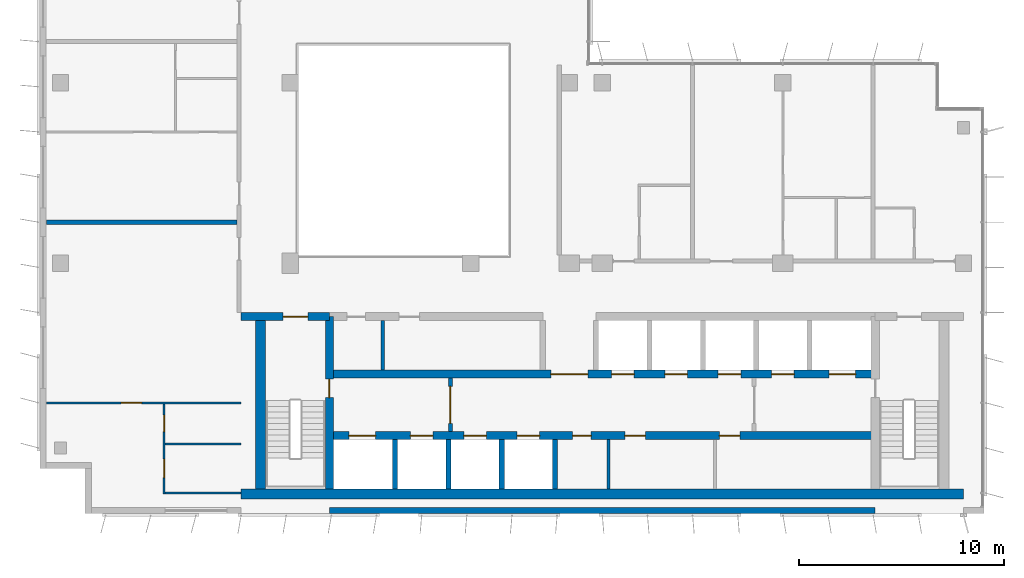
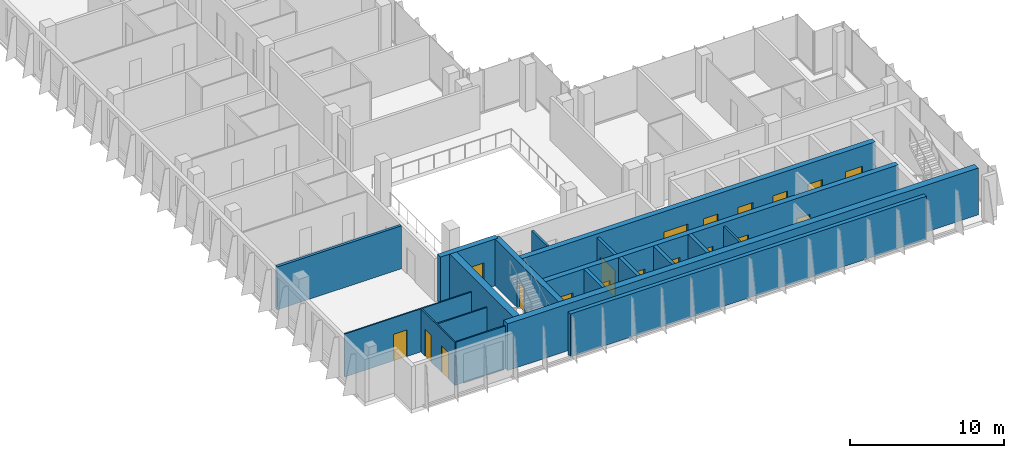
# One storey, part 9 of 16: 19 doors, 19 walls, 19 openings.
"""IFC4 building model written with IfcOpenShell, lengths in metres."""

from ifc_helpers import new_model, si_unit, direction, frame, frame_2d, origin, place, context, subcontext, project, spatial, rectangle, extrude, material, layer, layer_set, type_object, element, fill, save


model = new_model("IFC4")

# Units and contexts
model_context = context("Model", 3, precision=1e-05, world=origin(), true_north=direction((0.0, 1.0)))
body_context = subcontext(model_context, "Body", "Model", "MODEL_VIEW")
ifc_project = project(units=[si_unit("LENGTHUNIT", "METRE"), si_unit("AREAUNIT", "SQUARE_METRE"), si_unit("VOLUMEUNIT", "CUBIC_METRE"), si_unit("PLANEANGLEUNIT", "RADIAN"), si_unit("MASSUNIT", "GRAM", prefix="KILO")], contexts=[model_context])

# Site, building, storey
site_placement = place(None, origin())
site = spatial("IfcSite", under=ifc_project, at=site_placement, CompositionType="ELEMENT")
building_placement = place(site_placement, origin())
building = spatial("IfcBuilding", under=site, at=building_placement, Name="Kemantara Hotel Tower", CompositionType="ELEMENT")
storey_placement = place(building_placement, frame((0.0, 0.0, 283.300048828125)))
storey = spatial("IfcBuildingStorey", under=building, at=storey_placement, Name="L71", CompositionType="ELEMENT", Elevation=283.300048828125)

# Walls
ifc_material_1 = material(Name="Bronze anodised aluminium cladding on insulated steel stud wall", Category="steel")
ifc_layer_1 = layer(ifc_material_1, 0.300048828125)
ifc_layer_set_1 = layer_set([ifc_layer_1], Name="Bronze anodised aluminium cladding on insulated steel stud wall")
wall_type_1 = type_object("IfcWallType", Name="BRONZE METAL-CLAD EXTERNAL WALL 300", PredefinedType="STANDARD", material=ifc_layer_set_1)
wall_1_placement = place(storey_placement, frame((14.10009765625, 0.14990234375, 0.0), z_axis=(0.0, 0.0, 1.0), x_axis=(1.0, 0.0, 0.0)))
element("IfcWall", 1, at=wall_1_placement, inside=storey, type_object=wall_type_1, Name="EXTERNAL WALL L71 T4-R08-2", PredefinedType="STANDARD", context=body_context, shape_type="SweptSolid", body=[
    extrude(rectangle(XDim=26.599853515625, YDim=0.300048828125, at=frame_2d((13.2998046875, 0.0))), origin(), (0.0, 0.0, 1.0), 3.39990234375),
])
ifc_material_2 = material(Name="Concrete fc 50 MPa", Category="concrete")
ifc_layer_2 = layer(ifc_material_2, 0.25)
ifc_layer_set_2 = layer_set([ifc_layer_2], Name="Concrete fc 50 MPa")
wall_type_2 = type_object("IfcWallType", Name="CORE WALL 250 FC50", PredefinedType="SHEAR", material=ifc_layer_set_2)
for number, where, z_axis, x_axis, name in (
    (2, (17.300048828125, 1.199951171875, 0.0), (0.0, 0.0, 1.0), (0.0, 1.0, 0.0), "CORE WALL CW-DS17.3"),
    (3, (19.89990234375, 1.199951171875, 0.0), (0.0, 0.0, 1.0), (0.0, 1.0, 0.0), "CORE WALL CW-DS19.9"),
    (4, (22.5, 1.199951171875, 0.0), (0.0, 0.0, 1.0), (0.0, 1.0, 0.0), "CORE WALL CW-DS22.5"),
    (5, (25.10009765625, 1.199951171875, 0.0), (0.0, 0.0, 1.0), (0.0, 1.0, 0.0), "CORE WALL CW-DS25.1"),
):
    element("IfcWall", number, at=place(storey_placement, frame(where, z_axis=z_axis, x_axis=x_axis)), inside=storey, type_object=wall_type_2, Name=name, PredefinedType="SHEAR", context=body_context, shape_type="SweptSolid", body=[
        extrude(rectangle(XDim=2.400146484375, YDim=0.25, at=frame_2d((1.2001953125, 0.0))), origin(), (0.0, 0.0, 1.0), 3.699951171875),
    ])

# Wall, opening, door
ifc_layer_3 = layer(ifc_material_2, 0.39990234375)
ifc_layer_set_3 = layer_set([ifc_layer_3], Name="Concrete fc 50 MPa")
wall_type_3 = type_object("IfcWallType", Name="CORE WALL 400 FC50", PredefinedType="SHEAR", material=ifc_layer_set_3)
wall_2_placement = place(storey_placement, frame((9.800048828125, 9.60009765625, 0.0), z_axis=(0.0, 0.0, 1.0), x_axis=(1.0, 0.0, 0.0)))
wall_2 = element("IfcWall", 6, at=wall_2_placement, inside=storey, type_object=wall_type_3, Name="CORE WALL CW-N1", PredefinedType="SHEAR", context=body_context, shape_type="SweptSolid", body=[
    extrude(rectangle(XDim=4.300048828125, YDim=0.39990234375, at=frame_2d((2.14990234375, 0.0))), origin(), (0.0, 0.0, 1.0), 3.699951171875),
])
opening_1_placement = place(wall_2_placement, frame((2.050048828125, 0.0, 0.0)))
opening_1 = element("IfcOpeningElement", 7, at=opening_1_placement, cuts=wall_2, Name="Opening C41-ST1-C", PredefinedType="OPENING", context=body_context, shape_type="SweptSolid", body=[
    extrude(rectangle(XDim=1.199951171875, YDim=2.10009765625, at=frame_2d((0.60009765625, 1.050048828125))), frame((0.0, 0.2099609375, 0.0), z_axis=(0.0, -1.0, 0.0), x_axis=(1.0, 0.0, 0.0)), (0.0, 0.0, 1.0), 0.419921875),
])
ifc_material_3 = material(Name="Steel fire door", Category="steel")
door_type_1 = type_object("IfcDoorType", Name="Fire door FD90 1200 x 2100", OperationType="NOTDEFINED", PredefinedType="DOOR", material=ifc_material_3)
door_1_placement = place(opening_1_placement, frame((1.199951171875, 0.0, 0.0), z_axis=(0.0, 0.0, 1.0), x_axis=(-1.0, 0.0, 0.0)))
door_1 = element("IfcDoor", 8, at=door_1_placement, inside=storey, type_object=door_type_1, Name="Stair ST1 door to corridor", OperationType="SINGLE_SWING_LEFT", OverallHeight=2.10009765625, OverallWidth=1.199951171875, PredefinedType="DOOR", context=body_context, shape_type="SweptSolid", body=[
    extrude(rectangle(XDim=1.199951171875, YDim=2.10009765625, at=frame_2d((0.60009765625, 1.050048828125))), frame((0.0, 0.02490234375, 0.0), z_axis=(0.0, -1.0, 0.0), x_axis=(1.0, 0.0, 0.0)), (0.0, 0.0, 1.0), 0.050048828125),
])
fill(opening_1, door_1)

# Wall, openings, doors
wall_3_placement = place(storey_placement, frame((14.10009765625, 3.800048828125, 0.0), z_axis=(0.0, 0.0, 1.0), x_axis=(1.0, 0.0, 0.0)))
wall_3 = element("IfcWall", 9, at=wall_3_placement, inside=storey, type_object=wall_type_3, Name="CORE WALL CW-L1", PredefinedType="SHEAR", context=body_context, shape_type="SweptSolid", body=[
    extrude(rectangle(XDim=26.599853515625, YDim=0.39990234375, at=frame_2d((13.2998046875, 0.0))), origin(), (0.0, 0.0, 1.0), 3.699951171875),
])
opening_2_placement = place(wall_3_placement, frame((0.949951171875, 0.0, 0.0)))
opening_2 = element("IfcOpeningElement", 10, at=opening_2_placement, cuts=wall_3, Name="Opening C41-LD-FF1", PredefinedType="OPENING", context=body_context, shape_type="SweptSolid", body=[
    extrude(rectangle(XDim=1.300048828125, YDim=2.10009765625, at=frame_2d((0.64990234375, 1.050048828125))), frame((0.0, 0.2099609375, 0.0), z_axis=(0.0, -1.0, 0.0), x_axis=(1.0, 0.0, 0.0)), (0.0, 0.0, 1.0), 0.419921875),
])
opening_3_placement = place(wall_3_placement, frame((3.949951171875, 0.0, 0.0)))
opening_3 = element("IfcOpeningElement", 11, at=opening_3_placement, cuts=wall_3, Name="Opening C41-LD-SV1", PredefinedType="OPENING", context=body_context, shape_type="SweptSolid", body=[
    extrude(rectangle(XDim=1.10009765625, YDim=2.10009765625, at=frame_2d((0.550048828125, 1.050048828125))), frame((0.0, 0.2099609375, 0.0), z_axis=(0.0, -1.0, 0.0), x_axis=(1.0, 0.0, 0.0)), (0.0, 0.0, 1.0), 0.419921875),
])
opening_4_placement = place(wall_3_placement, frame((6.550048828125, 0.0, 0.0)))
opening_4 = element("IfcOpeningElement", 12, at=opening_4_placement, cuts=wall_3, Name="Opening C41-LD-SV2", PredefinedType="OPENING", context=body_context, shape_type="SweptSolid", body=[
    extrude(rectangle(XDim=1.10009765625, YDim=2.10009765625, at=frame_2d((0.550048828125, 1.050048828125))), frame((0.0, 0.2099609375, 0.0), z_axis=(0.0, -1.0, 0.0), x_axis=(1.0, 0.0, 0.0)), (0.0, 0.0, 1.0), 0.419921875),
])
opening_5_placement = place(wall_3_placement, frame((9.14990234375, 0.0, 0.0)))
opening_5 = element("IfcOpeningElement", 13, at=opening_5_placement, cuts=wall_3, Name="Opening C41-LD-SV3", PredefinedType="OPENING", context=body_context, shape_type="SweptSolid", body=[
    extrude(rectangle(XDim=1.10009765625, YDim=2.10009765625, at=frame_2d((0.550048828125, 1.050048828125))), frame((0.0, 0.2099609375, 0.0), z_axis=(0.0, -1.0, 0.0), x_axis=(1.0, 0.0, 0.0)), (0.0, 0.0, 1.0), 0.419921875),
])
opening_6_placement = place(wall_3_placement, frame((11.85009765625, 0.0, 0.0)))
opening_6 = element("IfcOpeningElement", 14, at=opening_6_placement, cuts=wall_3, Name="Opening C41-R-SM1", PredefinedType="OPENING", context=body_context, shape_type="SweptSolid", body=[
    extrude(rectangle(XDim=0.89990234375, YDim=2.10009765625, at=frame_2d((0.449951171875, 1.050048828125))), frame((0.0, 0.2099609375, 0.0), z_axis=(0.0, -1.0, 0.0), x_axis=(1.0, 0.0, 0.0)), (0.0, 0.0, 1.0), 0.419921875),
])
opening_7_placement = place(wall_3_placement, frame((14.39990234375, 0.0, 0.0)))
opening_7 = element("IfcOpeningElement", 15, at=opening_7_placement, cuts=wall_3, Name="Opening C41-R-SM2", PredefinedType="OPENING", context=body_context, shape_type="SweptSolid", body=[
    extrude(rectangle(XDim=1.0, YDim=2.10009765625, at=frame_2d((0.5, 1.050048828125))), frame((0.0, 0.2099609375, 0.0), z_axis=(0.0, -1.0, 0.0), x_axis=(1.0, 0.0, 0.0)), (0.0, 0.0, 1.0), 0.419921875),
])
opening_8_placement = place(wall_3_placement, frame((19.0, 0.0, 0.0)))
opening_8 = element("IfcOpeningElement", 16, at=opening_8_placement, cuts=wall_3, Name="Opening C41-R-SM3", PredefinedType="OPENING", context=body_context, shape_type="SweptSolid", body=[
    extrude(rectangle(XDim=1.0, YDim=2.10009765625, at=frame_2d((0.5, 1.050048828125))), frame((0.0, 0.2099609375, 0.0), z_axis=(0.0, -1.0, 0.0), x_axis=(1.0, 0.0, 0.0)), (0.0, 0.0, 1.0), 0.419921875),
])
door_type_2 = type_object("IfcDoorType", Name="Fire door FD30S 1000 x 2100", OperationType="NOTDEFINED", PredefinedType="DOOR", material=ifc_material_3)
door_2_placement = place(opening_7_placement, frame((1.0, 0.0, 0.0), z_axis=(0.0, 0.0, 1.0), x_axis=(-1.0, 0.0, 0.0)))
door_2 = element("IfcDoor", 17, at=door_2_placement, inside=storey, type_object=door_type_2, Name="Staff Lounge door", OperationType="SINGLE_SWING_LEFT", OverallHeight=2.10009765625, OverallWidth=1.0, PredefinedType="DOOR", context=body_context, shape_type="SweptSolid", body=[
    extrude(rectangle(XDim=1.0, YDim=2.10009765625, at=frame_2d((0.5, 1.050048828125))), frame((0.0, 0.02490234375, 0.0), z_axis=(0.0, -1.0, 0.0), x_axis=(1.0, 0.0, 0.0)), (0.0, 0.0, 1.0), 0.050048828125),
])
fill(opening_7, door_2)
door_3_placement = place(opening_8_placement, frame((1.0, 0.0, 0.0), z_axis=(0.0, 0.0, 1.0), x_axis=(-1.0, 0.0, 0.0)))
door_3 = element("IfcDoor", 18, at=door_3_placement, inside=storey, type_object=door_type_2, Name="Linen Store door", OperationType="SINGLE_SWING_LEFT", OverallHeight=2.10009765625, OverallWidth=1.0, PredefinedType="DOOR", context=body_context, shape_type="SweptSolid", body=[
    extrude(rectangle(XDim=1.0, YDim=2.10009765625, at=frame_2d((0.5, 1.050048828125))), frame((0.0, 0.02490234375, 0.0), z_axis=(0.0, -1.0, 0.0), x_axis=(1.0, 0.0, 0.0)), (0.0, 0.0, 1.0), 0.050048828125),
])
fill(opening_8, door_3)
door_type_3 = type_object("IfcDoorType", Name="Fire door FD60 900 x 2100", OperationType="NOTDEFINED", PredefinedType="DOOR", material=ifc_material_3)
door_4_placement = place(opening_6_placement, frame((0.89990234375, 0.0, 0.0), z_axis=(0.0, 0.0, 1.0), x_axis=(-1.0, 0.0, 0.0)))
door_4 = element("IfcDoor", 19, at=door_4_placement, inside=storey, type_object=door_type_3, Name="Electrical Riser Room door", OperationType="SINGLE_SWING_RIGHT", OverallHeight=2.10009765625, OverallWidth=0.89990234375, PredefinedType="DOOR", context=body_context, shape_type="SweptSolid", body=[
    extrude(rectangle(XDim=0.89990234375, YDim=2.10009765625, at=frame_2d((0.449951171875, 1.050048828125))), frame((0.0, 0.02490234375, 0.0), z_axis=(0.0, -1.0, 0.0), x_axis=(1.0, 0.0, 0.0)), (0.0, 0.0, 1.0), 0.050048828125),
])
fill(opening_6, door_4)
ifc_material_4 = material(Name="Stainless steel lift door", Category="steel")
door_type_4 = type_object("IfcDoorType", Name="Lift landing door 1100 x 2100 FD60", OperationType="DOUBLE_DOOR_SLIDING", PredefinedType="DOOR", material=ifc_material_4)
door_5_placement = place(opening_3_placement, origin())
door_5 = element("IfcDoor", 20, at=door_5_placement, inside=storey, type_object=door_type_4, Name="Lift SV1 landing door", OperationType="DOUBLE_DOOR_SLIDING", OverallHeight=2.10009765625, OverallWidth=1.10009765625, PredefinedType="DOOR", context=body_context, shape_type="SweptSolid", body=[
    extrude(rectangle(XDim=1.10009765625, YDim=2.10009765625, at=frame_2d((0.550048828125, 1.050048828125))), frame((0.0, 0.02490234375, 0.0), z_axis=(0.0, -1.0, 0.0), x_axis=(1.0, 0.0, 0.0)), (0.0, 0.0, 1.0), 0.050048828125),
])
fill(opening_3, door_5)
door_6_placement = place(opening_4_placement, origin())
door_6 = element("IfcDoor", 21, at=door_6_placement, inside=storey, type_object=door_type_4, Name="Lift SV2 landing door", OperationType="DOUBLE_DOOR_SLIDING", OverallHeight=2.10009765625, OverallWidth=1.10009765625, PredefinedType="DOOR", context=body_context, shape_type="SweptSolid", body=[
    extrude(rectangle(XDim=1.10009765625, YDim=2.10009765625, at=frame_2d((0.550048828125, 1.050048828125))), frame((0.0, 0.02490234375, 0.0), z_axis=(0.0, -1.0, 0.0), x_axis=(1.0, 0.0, 0.0)), (0.0, 0.0, 1.0), 0.050048828125),
])
fill(opening_4, door_6)
door_7_placement = place(opening_5_placement, origin())
door_7 = element("IfcDoor", 22, at=door_7_placement, inside=storey, type_object=door_type_4, Name="Lift SV3 landing door", OperationType="DOUBLE_DOOR_SLIDING", OverallHeight=2.10009765625, OverallWidth=1.10009765625, PredefinedType="DOOR", context=body_context, shape_type="SweptSolid", body=[
    extrude(rectangle(XDim=1.10009765625, YDim=2.10009765625, at=frame_2d((0.550048828125, 1.050048828125))), frame((0.0, 0.02490234375, 0.0), z_axis=(0.0, -1.0, 0.0), x_axis=(1.0, 0.0, 0.0)), (0.0, 0.0, 1.0), 0.050048828125),
])
fill(opening_5, door_7)
door_type_5 = type_object("IfcDoorType", Name="Lift landing door 1300 x 2100 FD90", OperationType="DOUBLE_DOOR_SLIDING", PredefinedType="DOOR", material=ifc_material_4)
door_8_placement = place(opening_2_placement, origin())
door_8 = element("IfcDoor", 23, at=door_8_placement, inside=storey, type_object=door_type_5, Name="Lift FF1 landing door", OperationType="DOUBLE_DOOR_SLIDING", OverallHeight=2.10009765625, OverallWidth=1.300048828125, PredefinedType="DOOR", context=body_context, shape_type="SweptSolid", body=[
    extrude(rectangle(XDim=1.300048828125, YDim=2.10009765625, at=frame_2d((0.64990234375, 1.050048828125))), frame((0.0, 0.02490234375, 0.0), z_axis=(0.0, -1.0, 0.0), x_axis=(1.0, 0.0, 0.0)), (0.0, 0.0, 1.0), 0.050048828125),
])
fill(opening_2, door_8)

wall_4_placement = place(storey_placement, frame((14.10009765625, 6.800048828125, 0.0), z_axis=(0.0, 0.0, 1.0), x_axis=(1.0, 0.0, 0.0)))
wall_4 = element("IfcWall", 24, at=wall_4_placement, inside=storey, type_object=wall_type_3, Name="CORE WALL CW-L2", PredefinedType="SHEAR", context=body_context, shape_type="SweptSolid", body=[
    extrude(rectangle(XDim=26.599853515625, YDim=0.39990234375, at=frame_2d((13.2998046875, 0.0))), origin(), (0.0, 0.0, 1.0), 3.699951171875),
])
opening_9_placement = place(wall_4_placement, frame((10.800048828125, 0.0, 0.0)))
opening_9 = element("IfcOpeningElement", 25, at=opening_9_placement, cuts=wall_4, Name="Opening C41-VL", PredefinedType="OPENING", context=body_context, shape_type="SweptSolid", body=[
    extrude(rectangle(XDim=1.800048828125, YDim=2.10009765625, at=frame_2d((0.89990234375, 1.050048828125))), frame((0.0, 0.2099609375, 0.0), z_axis=(0.0, -1.0, 0.0), x_axis=(1.0, 0.0, 0.0)), (0.0, 0.0, 1.0), 0.419921875),
])
opening_10_placement = place(wall_4_placement, frame((13.75, 0.0, 0.0)))
opening_10 = element("IfcOpeningElement", 26, at=opening_10_placement, cuts=wall_4, Name="Opening C41-LD-HR1", PredefinedType="OPENING", context=body_context, shape_type="SweptSolid", body=[
    extrude(rectangle(XDim=1.10009765625, YDim=2.10009765625, at=frame_2d((0.550048828125, 1.050048828125))), frame((0.0, 0.2099609375, 0.0), z_axis=(0.0, -1.0, 0.0), x_axis=(1.0, 0.0, 0.0)), (0.0, 0.0, 1.0), 0.419921875),
])
opening_11_placement = place(wall_4_placement, frame((16.35009765625, 0.0, 0.0)))
opening_11 = element("IfcOpeningElement", 27, at=opening_11_placement, cuts=wall_4, Name="Opening C41-LD-HR2", PredefinedType="OPENING", context=body_context, shape_type="SweptSolid", body=[
    extrude(rectangle(XDim=1.10009765625, YDim=2.10009765625, at=frame_2d((0.550048828125, 1.050048828125))), frame((0.0, 0.2099609375, 0.0), z_axis=(0.0, -1.0, 0.0), x_axis=(1.0, 0.0, 0.0)), (0.0, 0.0, 1.0), 0.419921875),
])
opening_12_placement = place(wall_4_placement, frame((18.949951171875, 0.0, 0.0)))
opening_12 = element("IfcOpeningElement", 28, at=opening_12_placement, cuts=wall_4, Name="Opening C41-LD-HR3", PredefinedType="OPENING", context=body_context, shape_type="SweptSolid", body=[
    extrude(rectangle(XDim=1.10009765625, YDim=2.10009765625, at=frame_2d((0.550048828125, 1.050048828125))), frame((0.0, 0.2099609375, 0.0), z_axis=(0.0, -1.0, 0.0), x_axis=(1.0, 0.0, 0.0)), (0.0, 0.0, 1.0), 0.419921875),
])
opening_13_placement = place(wall_4_placement, frame((21.550048828125, 0.0, 0.0)))
opening_13 = element("IfcOpeningElement", 29, at=opening_13_placement, cuts=wall_4, Name="Opening C41-LD-HR4", PredefinedType="OPENING", context=body_context, shape_type="SweptSolid", body=[
    extrude(rectangle(XDim=1.10009765625, YDim=2.10009765625, at=frame_2d((0.550048828125, 1.050048828125))), frame((0.0, 0.2099609375, 0.0), z_axis=(0.0, -1.0, 0.0), x_axis=(1.0, 0.0, 0.0)), (0.0, 0.0, 1.0), 0.419921875),
])
opening_14_placement = place(wall_4_placement, frame((24.35009765625, 0.0, 0.0)))
opening_14 = element("IfcOpeningElement", 30, at=opening_14_placement, cuts=wall_4, Name="Opening C41-LD-FF2", PredefinedType="OPENING", context=body_context, shape_type="SweptSolid", body=[
    extrude(rectangle(XDim=1.300048828125, YDim=2.10009765625, at=frame_2d((0.64990234375, 1.050048828125))), frame((0.0, 0.2099609375, 0.0), z_axis=(0.0, -1.0, 0.0), x_axis=(1.0, 0.0, 0.0)), (0.0, 0.0, 1.0), 0.419921875),
])
door_type_6 = type_object("IfcDoorType", Name="Fire door pair FD60 1800 x 2100", OperationType="DOUBLE_DOOR_SINGLE_SWING", PredefinedType="DOOR", material=ifc_material_3)
door_9_placement = place(opening_9_placement, frame((1.800048828125, 0.0, 0.0), z_axis=(0.0, 0.0, 1.0), x_axis=(-1.0, 0.0, 0.0)))
door_9 = element("IfcDoor", 31, at=door_9_placement, inside=storey, type_object=door_type_6, Name="Lift lobby entry door", OperationType="DOUBLE_DOOR_SINGLE_SWING", OverallHeight=2.10009765625, OverallWidth=1.800048828125, PredefinedType="DOOR", context=body_context, shape_type="SweptSolid", body=[
    extrude(rectangle(XDim=1.800048828125, YDim=2.10009765625, at=frame_2d((0.89990234375, 1.050048828125))), frame((0.0, 0.02490234375, 0.0), z_axis=(0.0, -1.0, 0.0), x_axis=(1.0, 0.0, 0.0)), (0.0, 0.0, 1.0), 0.050048828125),
])
fill(opening_9, door_9)
door_10_placement = place(opening_10_placement, origin())
door_10 = element("IfcDoor", 32, at=door_10_placement, inside=storey, type_object=door_type_4, Name="Lift HR1 landing door", OperationType="DOUBLE_DOOR_SLIDING", OverallHeight=2.10009765625, OverallWidth=1.10009765625, PredefinedType="DOOR", context=body_context, shape_type="SweptSolid", body=[
    extrude(rectangle(XDim=1.10009765625, YDim=2.10009765625, at=frame_2d((0.550048828125, 1.050048828125))), frame((0.0, 0.02490234375, 0.0), z_axis=(0.0, -1.0, 0.0), x_axis=(1.0, 0.0, 0.0)), (0.0, 0.0, 1.0), 0.050048828125),
])
fill(opening_10, door_10)
door_11_placement = place(opening_11_placement, origin())
door_11 = element("IfcDoor", 33, at=door_11_placement, inside=storey, type_object=door_type_4, Name="Lift HR2 landing door", OperationType="DOUBLE_DOOR_SLIDING", OverallHeight=2.10009765625, OverallWidth=1.10009765625, PredefinedType="DOOR", context=body_context, shape_type="SweptSolid", body=[
    extrude(rectangle(XDim=1.10009765625, YDim=2.10009765625, at=frame_2d((0.550048828125, 1.050048828125))), frame((0.0, 0.02490234375, 0.0), z_axis=(0.0, -1.0, 0.0), x_axis=(1.0, 0.0, 0.0)), (0.0, 0.0, 1.0), 0.050048828125),
])
fill(opening_11, door_11)
door_12_placement = place(opening_12_placement, origin())
door_12 = element("IfcDoor", 34, at=door_12_placement, inside=storey, type_object=door_type_4, Name="Lift HR3 landing door", OperationType="DOUBLE_DOOR_SLIDING", OverallHeight=2.10009765625, OverallWidth=1.10009765625, PredefinedType="DOOR", context=body_context, shape_type="SweptSolid", body=[
    extrude(rectangle(XDim=1.10009765625, YDim=2.10009765625, at=frame_2d((0.550048828125, 1.050048828125))), frame((0.0, 0.02490234375, 0.0), z_axis=(0.0, -1.0, 0.0), x_axis=(1.0, 0.0, 0.0)), (0.0, 0.0, 1.0), 0.050048828125),
])
fill(opening_12, door_12)
door_13_placement = place(opening_13_placement, origin())
door_13 = element("IfcDoor", 35, at=door_13_placement, inside=storey, type_object=door_type_4, Name="Lift HR4 landing door", OperationType="DOUBLE_DOOR_SLIDING", OverallHeight=2.10009765625, OverallWidth=1.10009765625, PredefinedType="DOOR", context=body_context, shape_type="SweptSolid", body=[
    extrude(rectangle(XDim=1.10009765625, YDim=2.10009765625, at=frame_2d((0.550048828125, 1.050048828125))), frame((0.0, 0.02490234375, 0.0), z_axis=(0.0, -1.0, 0.0), x_axis=(1.0, 0.0, 0.0)), (0.0, 0.0, 1.0), 0.050048828125),
])
fill(opening_13, door_13)
door_14_placement = place(opening_14_placement, origin())
door_14 = element("IfcDoor", 36, at=door_14_placement, inside=storey, type_object=door_type_5, Name="Lift FF2 landing door", OperationType="DOUBLE_DOOR_SLIDING", OverallHeight=2.10009765625, OverallWidth=1.300048828125, PredefinedType="DOOR", context=body_context, shape_type="SweptSolid", body=[
    extrude(rectangle(XDim=1.300048828125, YDim=2.10009765625, at=frame_2d((0.64990234375, 1.050048828125))), frame((0.0, 0.02490234375, 0.0), z_axis=(0.0, -1.0, 0.0), x_axis=(1.0, 0.0, 0.0)), (0.0, 0.0, 1.0), 0.050048828125),
])
fill(opening_14, door_14)

# Wall, opening, door
wall_5_placement = place(storey_placement, frame((14.10009765625, 1.199951171875, 0.0), z_axis=(0.0, 0.0, 1.0), x_axis=(0.0, 1.0, 0.0)))
wall_5 = element("IfcWall", 37, at=wall_5_placement, inside=storey, type_object=wall_type_3, Name="CORE WALL CW-ST1E", PredefinedType="SHEAR", context=body_context, shape_type="SweptSolid", body=[
    extrude(rectangle(XDim=8.400146484375, YDim=0.39990234375, at=frame_2d((4.2001953125, 0.0))), origin(), (0.0, 0.0, 1.0), 3.699951171875),
])
opening_15_placement = place(wall_5_placement, frame((4.449951171875, 0.0, 0.0)))
opening_15 = element("IfcOpeningElement", 38, at=opening_15_placement, cuts=wall_5, Name="Opening C41-ST1-F", PredefinedType="OPENING", context=body_context, shape_type="SweptSolid", body=[
    extrude(rectangle(XDim=0.89990234375, YDim=2.10009765625, at=frame_2d((0.449951171875, 1.050048828125))), frame((0.0, 0.2099609375, 0.0), z_axis=(0.0, -1.0, 0.0), x_axis=(1.0, 0.0, 0.0)), (0.0, 0.0, 1.0), 0.419921875),
])
door_type_7 = type_object("IfcDoorType", Name="Fire door FD90 900 x 2100", OperationType="NOTDEFINED", PredefinedType="DOOR", material=ifc_material_3)
door_15_placement = place(opening_15_placement, origin())
door_15 = element("IfcDoor", 39, at=door_15_placement, inside=storey, type_object=door_type_7, Name="Stair ST1 door to firefighting lobby", OperationType="SINGLE_SWING_RIGHT", OverallHeight=2.10009765625, OverallWidth=0.89990234375, PredefinedType="DOOR", context=body_context, shape_type="SweptSolid", body=[
    extrude(rectangle(XDim=0.89990234375, YDim=2.10009765625, at=frame_2d((0.449951171875, 1.050048828125))), frame((0.0, 0.02490234375, 0.0), z_axis=(0.0, -1.0, 0.0), x_axis=(1.0, 0.0, 0.0)), (0.0, 0.0, 1.0), 0.050048828125),
])
fill(opening_15, door_15)

# Walls
ifc_layer_4 = layer(ifc_material_2, 0.5)
ifc_layer_set_4 = layer_set([ifc_layer_4], Name="Concrete fc 50 MPa")
wall_type_4 = type_object("IfcWallType", Name="CORE WALL 500 FC50", PredefinedType="SHEAR", material=ifc_layer_set_4)
wall_6_placement = place(storey_placement, frame((9.800048828125, 0.949951171875, 0.0), z_axis=(0.0, 0.0, 1.0), x_axis=(1.0, 0.0, 0.0)))
element("IfcWall", 40, at=wall_6_placement, inside=storey, type_object=wall_type_4, Name="CORE WALL CW-S", PredefinedType="SHEAR", context=body_context, shape_type="SweptSolid", body=[
    extrude(rectangle(XDim=35.199951171875, YDim=0.5, at=frame_2d((17.60009765625, 0.0))), origin(), (0.0, 0.0, 1.0), 3.699951171875),
])
wall_7_placement = place(storey_placement, frame((10.75, 1.199951171875, 0.0), z_axis=(0.0, 0.0, 1.0), x_axis=(0.0, 1.0, 0.0)))
element("IfcWall", 41, at=wall_7_placement, inside=storey, type_object=wall_type_4, Name="CORE WALL CW-W", PredefinedType="SHEAR", context=body_context, shape_type="SweptSolid", body=[
    extrude(rectangle(XDim=8.60009765625, YDim=0.5, at=frame_2d((4.300048828125, 0.0))), origin(), (0.0, 0.0, 1.0), 3.699951171875),
])
ifc_material_5 = material(Name="Gypsum board partition, steel studs and mineral wool, 200 mm", Category="steel")
ifc_layer_5 = layer(ifc_material_5, 0.199951171875)
ifc_layer_set_5 = layer_set([ifc_layer_5], Name="Gypsum board partition, steel studs and mineral wool, 200 mm")
wall_type_5 = type_object("IfcWallType", Name="GUEST ROOM PARTY WALL 200", PredefinedType="PARTITIONING", material=ifc_layer_set_5)
wall_8_placement = place(storey_placement, frame((0.31005859375, 14.199951171875, 0.0), z_axis=(0.0, 0.0, 1.0), x_axis=(1.0, 0.0, 0.0)))
element("IfcWall", 42, at=wall_8_placement, inside=storey, type_object=wall_type_5, Name="GUEST ROOM PARTY WALL 200 009", PredefinedType="PARTITIONING", context=body_context, shape_type="SweptSolid", body=[
    extrude(rectangle(XDim=9.2900390625, YDim=0.199951171875, at=frame_2d((4.64501953125, 0.0))), origin(), (0.0, 0.0, 1.0), 3.39990234375),
])
ifc_material_6 = material(Name="Gypsum board partition")
ifc_layer_6 = layer(ifc_material_6, 0.14990234375)
ifc_layer_set_6 = layer_set([ifc_layer_6], Name="Gypsum board partition")
wall_type_6 = type_object("IfcWallType", Name="Gypsum board partition 150 mm", PredefinedType="PARTITIONING", material=ifc_layer_set_6)
wall_9_placement = place(storey_placement, frame((16.699951171875, 7.0, 0.0), z_axis=(0.0, 0.0, 1.0), x_axis=(0.0, 1.0, 0.0)))
element("IfcWall", 43, at=wall_9_placement, inside=storey, type_object=wall_type_6, Name="Core room partition", PredefinedType="PARTITIONING", context=body_context, shape_type="SweptSolid", body=[
    extrude(rectangle(XDim=2.39990234375, YDim=0.14990234375, at=frame_2d((1.199951171875, 0.0))), origin(), (0.0, 0.0, 1.0), 3.39990234375),
])
wall_10_placement = place(storey_placement, frame((27.699951171875, 1.199951171875, 0.0), z_axis=(0.0, 0.0, 1.0), x_axis=(0.0, 1.0, 0.0)))
element("IfcWall", 44, at=wall_10_placement, inside=storey, type_object=wall_type_6, Name="Core room partition", PredefinedType="PARTITIONING", context=body_context, shape_type="SweptSolid", body=[
    extrude(rectangle(XDim=2.400146484375, YDim=0.14990234375, at=frame_2d((1.2001953125, 0.0))), origin(), (0.0, 0.0, 1.0), 3.39990234375),
])

# Wall, opening, door
ifc_material_7 = material(Name="Gypsum board shaft wall")
ifc_layer_7 = layer(ifc_material_7, 0.199951171875)
ifc_layer_set_7 = layer_set([ifc_layer_7], Name="Gypsum board shaft wall")
wall_type_7 = type_object("IfcWallType", Name="Gypsum board shaft wall 200 mm", PredefinedType="PARTITIONING", material=ifc_layer_set_7)
wall_11_placement = place(storey_placement, frame((20.0, 4.0, 0.0), z_axis=(0.0, 0.0, 1.0), x_axis=(0.0, 1.0, 0.0)))
wall_11 = element("IfcWall", 45, at=wall_11_placement, inside=storey, type_object=wall_type_7, Name="Firefighting lobby partition west", PredefinedType="PARTITIONING", context=body_context, shape_type="SweptSolid", body=[
    extrude(rectangle(XDim=2.60009765625, YDim=0.199951171875, at=frame_2d((1.300048828125, 0.0))), origin(), (0.0, 0.0, 1.0), 3.39990234375),
])
opening_16_placement = place(wall_11_placement, frame((0.39990234375, 0.0, 0.0)))
opening_16 = element("IfcOpeningElement", 46, at=opening_16_placement, cuts=wall_11, Name="Opening C41-FFW", PredefinedType="OPENING", context=body_context, shape_type="SweptSolid", body=[
    extrude(rectangle(XDim=1.800048828125, YDim=2.10009765625, at=frame_2d((0.89990234375, 1.050048828125))), frame((0.0, 0.10986328125, 0.0), z_axis=(0.0, -1.0, 0.0), x_axis=(1.0, 0.0, 0.0)), (0.0, 0.0, 1.0), 0.219970703125),
])
door_16_placement = place(opening_16_placement, origin())
door_16 = element("IfcDoor", 47, at=door_16_placement, inside=storey, type_object=door_type_6, Name="Firefighting lobby door west", OperationType="DOUBLE_DOOR_SINGLE_SWING", OverallHeight=2.10009765625, OverallWidth=1.800048828125, PredefinedType="DOOR", context=body_context, shape_type="SweptSolid", body=[
    extrude(rectangle(XDim=1.800048828125, YDim=2.10009765625, at=frame_2d((0.89990234375, 1.050048828125))), frame((0.0, 0.02490234375, 0.0), z_axis=(0.0, -1.0, 0.0), x_axis=(1.0, 0.0, 0.0)), (0.0, 0.0, 1.0), 0.050048828125),
])
fill(opening_16, door_16)

# Wall, openings, doors
ifc_material_8 = material(Name="Gypsum board partition on steel studs, 100 mm", Category="steel")
ifc_layer_8 = layer(ifc_material_8, 0.10009765625)
ifc_layer_set_8 = layer_set([ifc_layer_8], Name="Gypsum board partition on steel studs, 100 mm")
wall_type_8 = type_object("IfcWallType", Name="ROOM PARTITION 100", PredefinedType="PARTITIONING", material=ifc_layer_set_8)
wall_12_placement = place(storey_placement, frame((6.050048828125, 5.35009765625, 0.0), z_axis=(0.0, 0.0, 1.0), x_axis=(0.0, -1.0, 0.0)))
wall_12 = element("IfcWall", 48, at=wall_12_placement, inside=storey, type_object=wall_type_8, Name="ROOM PARTITION 100 031", PredefinedType="PARTITIONING", context=body_context, shape_type="SweptSolid", body=[
    extrude(rectangle(XDim=4.400146484375, YDim=0.10009765625, at=frame_2d((2.2001953125, 0.0))), origin(), (0.0, 0.0, 1.0), 3.39990234375),
])
opening_17_placement = place(wall_12_placement, frame((2.699951171875, 0.0, 0.0)))
opening_17 = element("IfcOpeningElement", 49, at=opening_17_placement, cuts=wall_12, Name="Opening F35-011", PredefinedType="OPENING", context=body_context, shape_type="SweptSolid", body=[
    extrude(rectangle(XDim=0.89990234375, YDim=2.10009765625, at=frame_2d((0.449951171875, 1.050048828125))), frame((0.0, 0.06005859375, 0.0), z_axis=(0.0, -1.0, 0.0), x_axis=(1.0, 0.0, 0.0)), (0.0, 0.0, 1.0), 0.1201171875),
])
opening_18_placement = place(wall_12_placement, frame((0.550048828125, 0.0, 0.0)))
opening_18 = element("IfcOpeningElement", 50, at=opening_18_placement, cuts=wall_12, Name="Opening F35-012", PredefinedType="OPENING", context=body_context, shape_type="SweptSolid", body=[
    extrude(rectangle(XDim=0.800048828125, YDim=2.10009765625, at=frame_2d((0.39990234375, 1.050048828125))), frame((0.0, 0.06005859375, 0.0), z_axis=(0.0, -1.0, 0.0), x_axis=(1.0, 0.0, 0.0)), (0.0, 0.0, 1.0), 0.1201171875),
])
ifc_material_9 = material(Name="Hardwood veneer door leaf with steel frame", Category="steel")
door_type_8 = type_object("IfcDoorType", Name="BATHROOM DOOR 900 X 2100", OperationType="NOTDEFINED", PredefinedType="DOOR", material=ifc_material_9)
door_17_placement = place(opening_17_placement, origin())
door_17 = element("IfcDoor", 51, at=door_17_placement, inside=storey, type_object=door_type_8, Name="BATHROOM DOOR F35-011", OperationType="SINGLE_SWING_LEFT", OverallHeight=2.10009765625, OverallWidth=0.89990234375, PredefinedType="DOOR", context=body_context, shape_type="SweptSolid", body=[
    extrude(rectangle(XDim=0.89990234375, YDim=2.10009765625, at=frame_2d((0.449951171875, 1.050048828125))), frame((0.0, 0.02490234375, 0.0), z_axis=(0.0, -1.0, 0.0), x_axis=(1.0, 0.0, 0.0)), (0.0, 0.0, 1.0), 0.050048828125),
])
fill(opening_17, door_17)
door_type_9 = type_object("IfcDoorType", Name="WARDROBE DOOR 800 X 2100", OperationType="NOTDEFINED", PredefinedType="DOOR", material=ifc_material_9)
door_18_placement = place(opening_18_placement, origin())
door_18 = element("IfcDoor", 52, at=door_18_placement, inside=storey, type_object=door_type_9, Name="WARDROBE DOOR F35-012", OperationType="SINGLE_SWING_LEFT", OverallHeight=2.10009765625, OverallWidth=0.800048828125, PredefinedType="DOOR", context=body_context, shape_type="SweptSolid", body=[
    extrude(rectangle(XDim=0.800048828125, YDim=2.10009765625, at=frame_2d((0.39990234375, 1.050048828125))), frame((0.0, 0.02490234375, 0.0), z_axis=(0.0, -1.0, 0.0), x_axis=(1.0, 0.0, 0.0)), (0.0, 0.0, 1.0), 0.050048828125),
])
fill(opening_18, door_18)

# Wall, opening, door
wall_13_placement = place(storey_placement, frame((9.7998046875, 5.39990234375, 0.0), z_axis=(0.0, 0.0, 1.0), x_axis=(-1.0, 0.0, 0.0)))
wall_13 = element("IfcWall", 53, at=wall_13_placement, inside=storey, type_object=wall_type_8, Name="ROOM PARTITION 100 032", PredefinedType="PARTITIONING", context=body_context, shape_type="SweptSolid", body=[
    extrude(rectangle(XDim=9.48974609375, YDim=0.10009765625, at=frame_2d((4.744873046875, 0.0))), origin(), (0.0, 0.0, 1.0), 3.39990234375),
])
opening_19_placement = place(wall_13_placement, frame((4.849853515625, 0.0, 0.0)))
opening_19 = element("IfcOpeningElement", 54, at=opening_19_placement, cuts=wall_13, Name="Opening F35-010", PredefinedType="OPENING", context=body_context, shape_type="SweptSolid", body=[
    extrude(rectangle(XDim=1.0, YDim=2.10009765625, at=frame_2d((0.5, 1.050048828125))), frame((0.0, 0.06005859375, 0.0), z_axis=(0.0, -1.0, 0.0), x_axis=(1.0, 0.0, 0.0)), (0.0, 0.0, 1.0), 0.1201171875),
])
door_type_10 = type_object("IfcDoorType", Name="INTERNAL DOOR 1000 X 2100", OperationType="NOTDEFINED", PredefinedType="DOOR", material=ifc_material_9)
door_19_placement = place(opening_19_placement, origin())
door_19 = element("IfcDoor", 55, at=door_19_placement, inside=storey, type_object=door_type_10, Name="INTERNAL DOOR F35-010", OperationType="SINGLE_SWING_LEFT", OverallHeight=2.10009765625, OverallWidth=1.0, PredefinedType="DOOR", context=body_context, shape_type="SweptSolid", body=[
    extrude(rectangle(XDim=1.0, YDim=2.10009765625, at=frame_2d((0.5, 1.050048828125))), frame((0.0, 0.02490234375, 0.0), z_axis=(0.0, -1.0, 0.0), x_axis=(1.0, 0.0, 0.0)), (0.0, 0.0, 1.0), 0.050048828125),
])
fill(opening_19, door_19)

# Walls
for number, where, z_axis, x_axis, name in (
    (56, (6.10009765625, 1.0, 0.0), (0.0, 0.0, 1.0), (1.0, 0.0, 0.0), "ROOM PARTITION 100 033"),
    (57, (6.10009765625, 3.39990234375, 0.0), (0.0, 0.0, 1.0), (1.0, 0.0, 0.0), "ROOM PARTITION 100 034"),
):
    element("IfcWall", number, at=place(storey_placement, frame(where, z_axis=z_axis, x_axis=x_axis)), inside=storey, type_object=wall_type_8, Name=name, PredefinedType="PARTITIONING", context=body_context, shape_type="SweptSolid", body=[
        extrude(rectangle(XDim=3.69970703125, YDim=0.10009765625, at=frame_2d((1.849853515625, 0.0))), origin(), (0.0, 0.0, 1.0), 3.39990234375),
    ])

save(model, "model.ifc")
